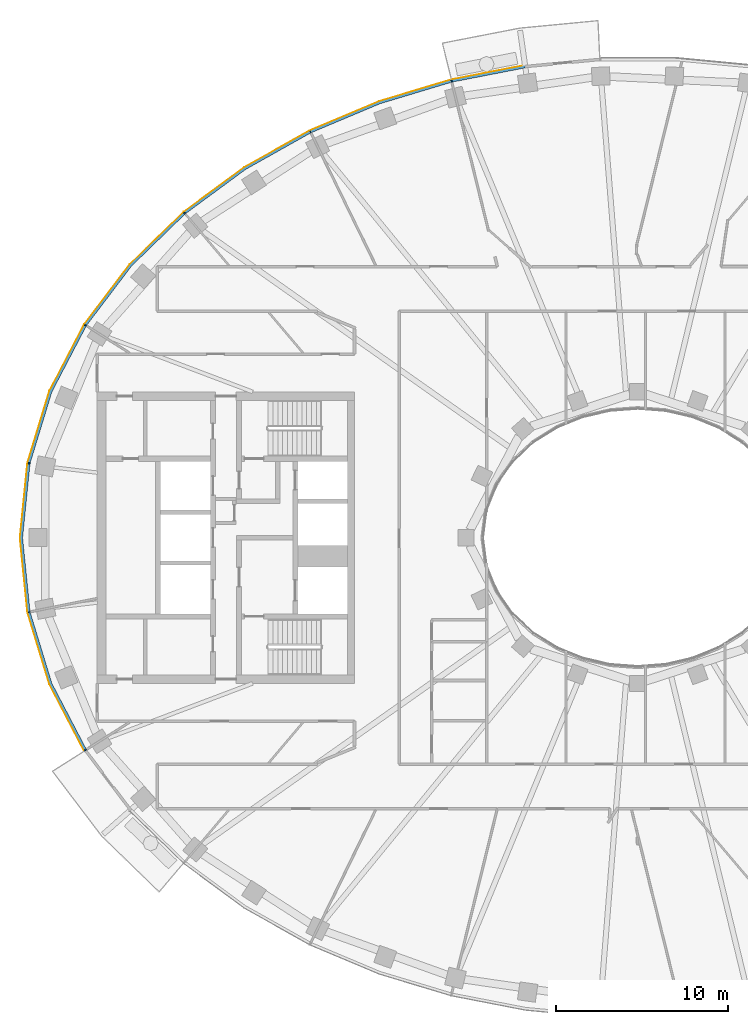
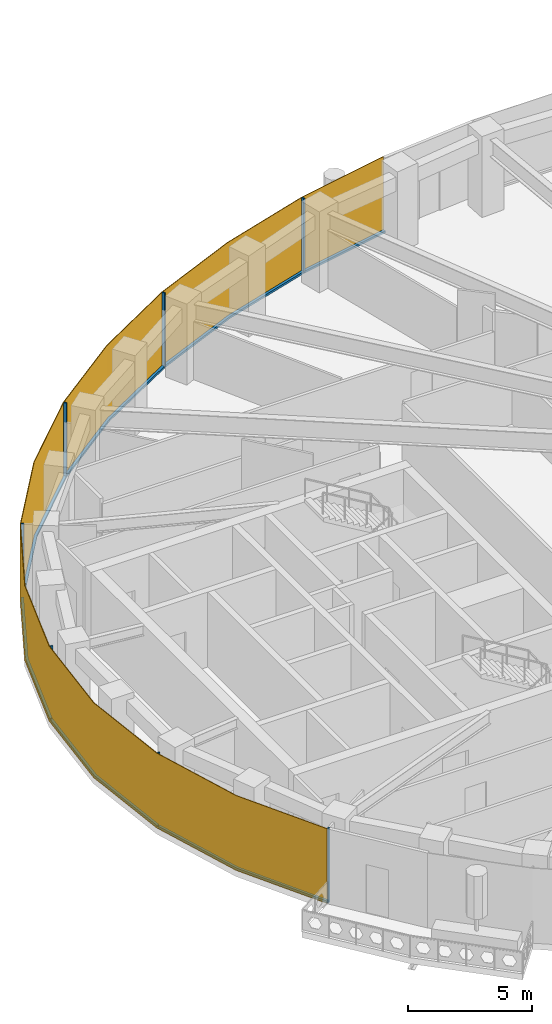
# One storey, part 12 of 17: 14 members, 1 curtain wall.
"""IFC4 building model written with IfcOpenShell, lengths in metres."""

from ifc_helpers import new_model, si_unit, direction, frame, origin, origin_2d, place, context, subcontext, project, spatial, polyline, rectangle, outline, extrude, material, layer, layer_set, material_profile, profile_set, type_object, element, aggregate, save


model = new_model("IFC4")

# Units and contexts
model_context = context("Model", 3, precision=1e-05, world=origin(), true_north=direction((0.0, 1.0)))
body_context = subcontext(model_context, "Body", "Model", "MODEL_VIEW")
ifc_project = project(units=[si_unit("LENGTHUNIT", "METRE"), si_unit("AREAUNIT", "SQUARE_METRE"), si_unit("VOLUMEUNIT", "CUBIC_METRE"), si_unit("PLANEANGLEUNIT", "RADIAN"), si_unit("MASSUNIT", "GRAM", prefix="KILO")], contexts=[model_context])

# Member
ifc_material_1 = material(Name="Aluminium 6063-T6 black anodised", Category="aluminium")
ifc_material_profile = material_profile(ifc_material_1, rectangle(XDim=0.1201171875, YDim=0.06005859375, at=origin_2d()), Name="120x60")
ifc_profile_set = profile_set([ifc_material_profile], Name="Aluminium 6063-T6 black anodised")
member_type_1 = type_object("IfcMemberType", Name="ENV-MULLION-A-120", PredefinedType="MULLION", material=ifc_profile_set)
site_placement = place(None, origin())
building_placement = place(site_placement, origin())
storey_placement = place(building_placement, frame((0.0, 0.0, 269.5)))
member_1_placement = place(storey_placement, frame((-10.84326171875, 26.60498046875, 0.0), z_axis=(0.0, 0.0, 1.0), x_axis=(0.239799081534, -0.970822538106, 0.0)))
member_1 = element("IfcMember", 1, at=member_1_placement, type_object=member_type_1, Name="Mullion A radial 15", PredefinedType="MULLION", context=body_context, shape_type="SweptSolid", body=[
    extrude(rectangle(XDim=0.1201171875, YDim=0.06005859375, at=origin_2d()), origin(), (0.0, 0.0, 1.0), 3.699951171875),
])

member_2_placement = place(storey_placement, frame((-19.06787109375, 23.6474609375, 0.0), z_axis=(0.0, 0.0, 1.0), x_axis=(0.439237769837, -0.898370848563, 0.0)))
member_2 = element("IfcMember", 2, at=member_2_placement, type_object=member_type_1, Name="Mullion A radial 17", PredefinedType="MULLION", context=body_context, shape_type="SweptSolid", body=[
    extrude(rectangle(XDim=0.1201171875, YDim=0.06005859375, at=origin_2d()), origin(), (0.0, 0.0, 1.0), 3.699951171875),
])

member_3_placement = place(storey_placement, frame((-26.403564453125, 18.9130859375, 0.0), z_axis=(0.0, 0.0, 1.0), x_axis=(0.646451313783, -0.762955240435, 0.0)))
member_3 = element("IfcMember", 3, at=member_3_placement, type_object=member_type_1, Name="Mullion A radial 19", PredefinedType="MULLION", context=body_context, shape_type="SweptSolid", body=[
    extrude(rectangle(XDim=0.1201171875, YDim=0.06005859375, at=origin_2d()), origin(), (0.0, 0.0, 1.0), 3.699951171875),
])

member_4_placement = place(storey_placement, frame((-32.177490234375, 12.385498046875, 0.0), z_axis=(0.0, 0.0, 1.0), x_axis=(0.844829880882, -0.53503501976, 0.0)))
member_4 = element("IfcMember", 4, at=member_4_placement, type_object=member_type_1, Name="Mullion A radial 21", PredefinedType="MULLION", context=body_context, shape_type="SweptSolid", body=[
    extrude(rectangle(XDim=0.1201171875, YDim=0.06005859375, at=origin_2d()), origin(), (0.0, 0.0, 1.0), 3.699951171875),
])

member_5_placement = place(storey_placement, frame((-35.470947265625, 4.340576171875, 0.0), z_axis=(0.0, 0.0, 1.0), x_axis=(0.980379083141, -0.19712141776, 0.0)))
member_5 = element("IfcMember", 5, at=member_5_placement, type_object=member_type_1, Name="Mullion A radial 23", PredefinedType="MULLION", context=body_context, shape_type="SweptSolid", body=[
    extrude(rectangle(XDim=0.1201171875, YDim=0.06005859375, at=origin_2d()), origin(), (0.0, 0.0, 1.0), 3.699951171875),
])

member_6_placement = place(storey_placement, frame((-35.470947265625, -4.340576171875, 0.0), z_axis=(0.0, 0.0, 1.0), x_axis=(0.980379083141, 0.19712141776, 0.0)))
member_6 = element("IfcMember", 6, at=member_6_placement, type_object=member_type_1, Name="Mullion A radial 25", PredefinedType="MULLION", context=body_context, shape_type="SweptSolid", body=[
    extrude(rectangle(XDim=0.1201171875, YDim=0.06005859375, at=origin_2d()), origin(), (0.0, 0.0, 1.0), 3.699951171875),
])

member_7_placement = place(storey_placement, frame((-32.177490234375, -12.385498046875, 0.0), z_axis=(0.0, 0.0, 1.0), x_axis=(0.844829880882, 0.53503501976, 0.0)))
member_7 = element("IfcMember", 7, at=member_7_placement, type_object=member_type_1, Name="Mullion A radial 27", PredefinedType="MULLION", context=body_context, shape_type="SweptSolid", body=[
    extrude(rectangle(XDim=0.1201171875, YDim=0.06005859375, at=origin_2d()), origin(), (0.0, 0.0, 1.0), 3.699951171875),
])

ifc_material_2 = material(Name="Aluminium 6063-T6 black anodised", Category="aluminium")
member_type_2 = type_object("IfcMemberType", Name="ENV-TRANSOM-A", PredefinedType="USERDEFINED", material=ifc_material_2)
member_8_placement = place(storey_placement, origin())
member_8 = element("IfcMember", 8, at=member_8_placement, type_object=member_type_2, Name="Transom A radial 14-15", ObjectType="TRANSOM", PredefinedType="USERDEFINED", context=body_context, shape_type="SweptSolid", body=[
    extrude(outline(polyline([(-6.57470703125, 27.49560546875), (-10.830078125, 26.66845703125), (-10.80126953125, 26.552001953125), (-6.5576171875, 27.376708984375), (-6.57470703125, 27.49560546875)])), origin(), (0.0, 0.0, 1.0), 0.10009765625),
])

member_9_placement = place(storey_placement, origin())
member_9 = element("IfcMember", 9, at=member_9_placement, type_object=member_type_2, Name="Transom A radial 15-17", ObjectType="TRANSOM", PredefinedType="USERDEFINED", context=body_context, shape_type="SweptSolid", body=[
    extrude(outline(polyline([(-10.884521484375, 26.655029296875), (-15.054443359375, 25.400146484375), (-19.068359375, 23.71240234375), (-19.015380859375, 23.604248046875), (-15.013916015625, 25.287109375), (-10.855712890625, 26.53857421875), (-10.884521484375, 26.655029296875)])), origin(), (0.0, 0.0, 1.0), 0.10009765625),
])

member_10_placement = place(storey_placement, origin())
member_10 = element("IfcMember", 10, at=member_10_placement, type_object=member_type_2, Name="Transom A radial 17-19", ObjectType="TRANSOM", PredefinedType="USERDEFINED", context=body_context, shape_type="SweptSolid", body=[
    extrude(outline(polyline([(-19.11865234375, 23.687744140625), (-22.9150390625, 21.556884765625), (-26.419921875, 18.975341796875), (-26.342041015625, 18.883544921875), (-22.85009765625, 21.455810546875), (-19.06591796875, 23.57958984375), (-19.11865234375, 23.687744140625)])), origin(), (0.0, 0.0, 1.0), 0.10009765625),
])

member_11_placement = place(storey_placement, origin())
member_11 = element("IfcMember", 11, at=member_11_placement, type_object=member_type_2, Name="Transom A radial 19-21", ObjectType="TRANSOM", PredefinedType="USERDEFINED", context=body_context, shape_type="SweptSolid", body=[
    extrude(outline(polyline([(-26.46240234375, 18.939208984375), (-29.58349609375, 15.906982421875), (-32.211181640625, 12.43994140625), (-32.109375, 12.37548828125), (-29.493408203125, 15.8271484375), (-26.384765625, 18.847412109375), (-26.46240234375, 18.939208984375)])), origin(), (0.0, 0.0, 1.0), 0.10009765625),
])

member_12_placement = place(storey_placement, origin())
member_12 = element("IfcMember", 12, at=member_12_placement, type_object=member_type_2, Name="Transom A radial 21-23", ObjectType="TRANSOM", PredefinedType="USERDEFINED", context=body_context, shape_type="SweptSolid", body=[
    extrude(outline(polyline([(-32.240966796875, 12.392578125), (-34.251220703125, 8.53662109375), (-35.521484375, 4.379150390625), (-35.4033203125, 4.355224609375), (-34.139892578125, 8.490966796875), (-32.139404296875, 12.328369140625), (-32.240966796875, 12.392578125)])), origin(), (0.0, 0.0, 1.0), 0.10009765625),
])

member_13_placement = place(storey_placement, origin())
member_13 = element("IfcMember", 13, at=member_13_placement, type_object=member_type_2, Name="Transom A radial 23-25", ObjectType="TRANSOM", PredefinedType="USERDEFINED", context=body_context, shape_type="SweptSolid", body=[
    extrude(outline(polyline([(-35.532470703125, 4.324462890625), (-35.9677734375, 0.0), (-35.532470703125, -4.324462890625), (-35.414306640625, -4.30078125), (-35.84716796875, 0.0), (-35.414306640625, 4.30078125), (-35.532470703125, 4.324462890625)])), origin(), (0.0, 0.0, 1.0), 0.10009765625),
])

member_14_placement = place(storey_placement, origin())
member_14 = element("IfcMember", 14, at=member_14_placement, type_object=member_type_2, Name="Transom A radial 25-27", ObjectType="TRANSOM", PredefinedType="USERDEFINED", context=body_context, shape_type="SweptSolid", body=[
    extrude(outline(polyline([(-35.521484375, -4.379150390625), (-34.251220703125, -8.53662109375), (-32.240966796875, -12.392578125), (-32.139404296875, -12.328369140625), (-34.139892578125, -8.490966796875), (-35.4033203125, -4.355224609375), (-35.521484375, -4.379150390625)])), origin(), (0.0, 0.0, 1.0), 0.10009765625),
])

# Site, building, storey
site = spatial("IfcSite", under=ifc_project, at=site_placement, CompositionType="ELEMENT")
building = spatial("IfcBuilding", under=site, at=building_placement, Name="Noorbagh Ring Tower", CompositionType="ELEMENT")
storey = spatial("IfcBuildingStorey", under=building, at=storey_placement, Name="L57", CompositionType="ELEMENT", Elevation=269.5)

# Curtain wall
ifc_material_3 = material(Name="Glass dark tinted laminated", Category="glass")
ifc_layer = layer(ifc_material_3, 0.031982421875)
ifc_layer_set = layer_set([ifc_layer], Name="Glass dark tinted laminated")
curtain_wall_type = type_object("IfcCurtainWallType", Name="ENV-CW-A", PredefinedType="NOTDEFINED", material=ifc_layer_set)
curtain_wall_placement = place(storey_placement, origin())
curtain_wall = element("IfcCurtainWall", 15, at=curtain_wall_placement, inside=storey, type_object=curtain_wall_type, Name="Curtain wall A R14", PredefinedType="NOTDEFINED", context=body_context, shape_type="SweptSolid", body=[
    extrude(outline(polyline([(-6.579345703125, 27.52734375), (-10.865234375, 26.6943359375), (-15.065185546875, 25.430419921875), (-19.108154296875, 23.730224609375), (-22.9326171875, 21.583740234375), (-26.463134765625, 18.9833984375), (-29.607666015625, 15.927978515625), (-32.255126953125, 12.434814453125), (-34.281005859375, 8.548828125), (-35.561279296875, 4.358642578125), (-36.0, 0.0), (-35.561279296875, -4.358642578125), (-34.281005859375, -8.548828125), (-32.264404296875, -12.4169921875), (-32.2373046875, -12.39990234375), (-34.251220703125, -8.53662109375), (-35.529541015625, -4.352294921875), (-35.9677734375, 0.0), (-35.529541015625, 4.352294921875), (-34.251220703125, 8.53662109375), (-32.22802734375, 12.41748046875), (-29.58349609375, 15.906982421875), (-26.4423828125, 18.958740234375), (-22.9150390625, 21.556884765625), (-19.093994140625, 23.701416015625), (-15.054443359375, 25.400146484375), (-10.857666015625, 26.6630859375), (-6.57470703125, 27.49560546875), (-6.579345703125, 27.52734375)])), origin(), (0.0, 0.0, 1.0), 3.699951171875),
])

aggregate(curtain_wall, [member_1, member_2, member_3, member_4, member_5, member_6, member_7, member_8, member_9, member_10, member_11, member_12, member_13, member_14])

save(model, "model.ifc")
